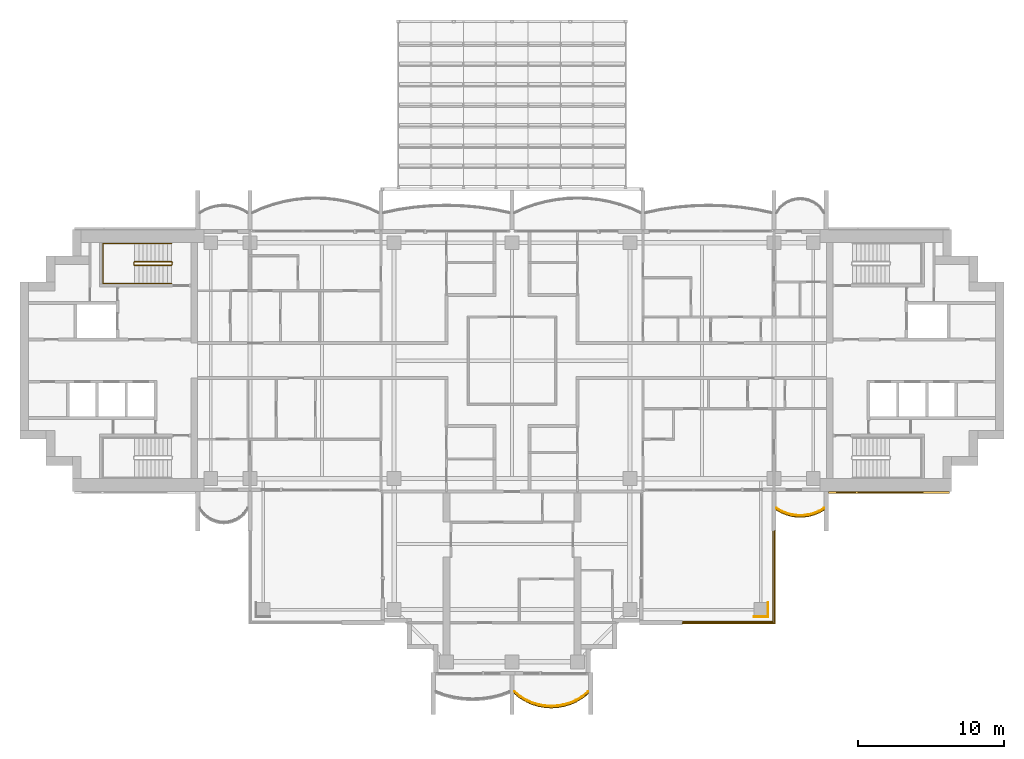
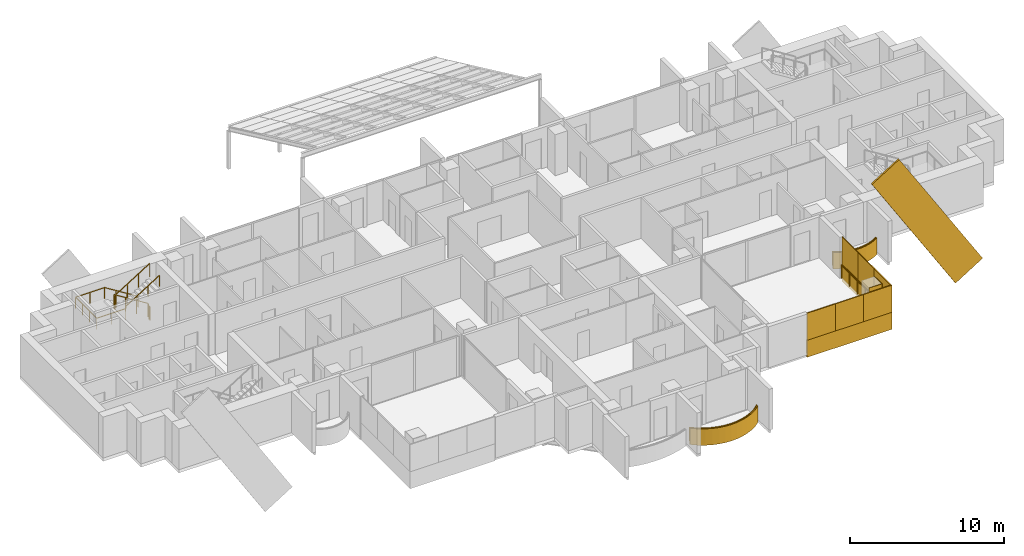
# One storey, part 18 of 20: 12 coverings, 5 railings.
"""IFC4 building model written with IfcOpenShell, lengths in metres."""

from ifc_helpers import new_model, si_unit, direction, frame, origin, origin_2d, place, context, subcontext, project, spatial, polyline, rectangle, outline, extrude, material, layer, layer_set, material_profile, profile_set, type_object, element, save


model = new_model("IFC4")

# Units and contexts
model_context = context("Model", 3, precision=1e-05, world=origin(), true_north=direction((0.0, 1.0)))
body_context = subcontext(model_context, "Body", "Model", "MODEL_VIEW")
ifc_project = project(units=[si_unit("LENGTHUNIT", "METRE"), si_unit("AREAUNIT", "SQUARE_METRE"), si_unit("VOLUMEUNIT", "CUBIC_METRE"), si_unit("PLANEANGLEUNIT", "RADIAN"), si_unit("MASSUNIT", "GRAM", prefix="KILO")], contexts=[model_context])

# Site, building, storey
site_placement = place(None, origin())
site = spatial("IfcSite", under=ifc_project, at=site_placement, CompositionType="ELEMENT")
building_placement = place(site_placement, origin())
building = spatial("IfcBuilding", under=site, at=building_placement, Name="Perihelion Cross Residences", CompositionType="ELEMENT")
storey_placement = place(building_placement, frame((0.0, 0.0, 170.10009765625)))
storey = spatial("IfcBuildingStorey", under=building, at=storey_placement, Name="L41", CompositionType="ELEMENT", Elevation=170.10009765625)

# Coverings
ifc_material_1 = material(Name="Bronze anodised aluminium", Category="aluminium")
ifc_layer_1 = layer(ifc_material_1, 0.070068359375)
ifc_layer_set_1 = layer_set([ifc_layer_1], Name="Balcony fascia 1300")
covering_type_1 = type_object("IfcCoveringType", Name="Balcony fascia 1300", PredefinedType="CLADDING", material=ifc_layer_set_1)
covering_1_placement = place(storey_placement, frame((0.0, 0.0, -0.2001953125)))
element("IfcCovering", 1, at=covering_1_placement, inside=storey, type_object=covering_type_1, Name="Fascia BF1 L41 south tip south bay 2", PredefinedType="CLADDING", context=body_context, shape_type="SweptSolid", body=[
    extrude(outline(polyline([(0.53515625, -23.197509765625), (0.96826171875, -23.455078125), (1.401123046875, -23.642578125), (1.833984375, -23.7705078125), (2.26708984375, -23.845458984375), (2.699951171875, -23.8701171875), (3.133056640625, -23.845458984375), (3.56591796875, -23.7705078125), (3.998779296875, -23.642578125), (4.431884765625, -23.455078125), (4.86474609375, -23.197509765625), (5.25, -22.8896484375), (5.25, -22.800048828125), (4.824951171875, -23.14013671875), (4.39990234375, -23.392578125), (3.97509765625, -23.57666015625), (3.550048828125, -23.702392578125), (3.125, -23.77587890625), (2.699951171875, -23.800048828125), (2.27490234375, -23.77587890625), (1.85009765625, -23.702392578125), (1.425048828125, -23.57666015625), (1.0, -23.392578125), (0.574951171875, -23.14013671875), (0.14990234375, -22.800048828125), (0.14990234375, -22.8896484375), (0.53515625, -23.197509765625)])), origin(), (0.0, 0.0, 1.0), 1.300048828125),
])
covering_2_placement = place(storey_placement, frame((0.0, 0.0, -0.2001953125)))
element("IfcCovering", 2, at=covering_2_placement, inside=storey, type_object=covering_type_1, Name="Fascia BF1 L41 east side south bay 2", PredefinedType="CLADDING", context=body_context, shape_type="SweptSolid", body=[
    extrude(outline(polyline([(18.486328125, -10.4716796875), (18.861572265625, -10.62158203125), (19.237060546875, -10.717529296875), (19.6123046875, -10.76416015625), (19.987548828125, -10.76416015625), (20.363037109375, -10.717529296875), (20.73828125, -10.62158203125), (21.11376953125, -10.4716796875), (21.449951171875, -10.280517578125), (21.449951171875, -10.199951171875), (21.083251953125, -10.40869140625), (20.716552734375, -10.55517578125), (20.35009765625, -10.648681640625), (19.9833984375, -10.6943359375), (19.61669921875, -10.6943359375), (19.25, -10.648681640625), (18.88330078125, -10.55517578125), (18.5166015625, -10.40869140625), (18.14990234375, -10.199951171875), (18.14990234375, -10.280517578125), (18.486328125, -10.4716796875)])), origin(), (0.0, 0.0, 1.0), 1.300048828125),
])

# Railings
ifc_material_2 = material(Name="Bronze anodised aluminium", Category="aluminium")
railing_type_1 = type_object("IfcRailingType", Name="Balcony guard 1100", PredefinedType="GUARDRAIL", material=ifc_material_2)
railing_1_placement = place(storey_placement, frame((0.175048828125, -22.739990234375, 0.0)))
element("IfcRailing", 3, at=railing_1_placement, inside=storey, type_object=railing_type_1, Name="Guard GU1 L41 south tip south bay 2 balcony", PredefinedType="GUARDRAIL", context=body_context, shape_type="SweptSolid", body=[
    extrude(rectangle(XDim=0.048095703125, YDim=0.048095703125, at=origin_2d()), frame((0.0, 0.0, 1.076171875), z_axis=(0.761778647315, -0.647837396648, 0.0), x_axis=(0.647837396648, 0.761778647315, 0.0)), (0.0, 0.0, 1.0), 0.52490234375),
    extrude(rectangle(XDim=0.048095703125, YDim=0.048095703125, at=origin_2d()), frame((0.39990234375, -0.340087890625, 1.076171875), z_axis=(0.859576918062, -0.511006381501, 0.0), x_axis=(0.511006381501, 0.859576918062, 0.0)), (0.0, 0.0, 1.0), 0.494384765625),
    extrude(rectangle(XDim=0.048095703125, YDim=0.048095703125, at=origin_2d()), frame((0.824951171875, -0.5927734375, 1.076171875), z_axis=(0.917831080218, -0.396971167952, 0.0), x_axis=(0.396971167952, 0.917831080218, 0.0)), (0.0, 0.0, 1.0), 0.463134765625),
    extrude(rectangle(XDim=0.048095703125, YDim=0.048095703125, at=origin_2d()), frame((1.25, -0.776611328125, 1.076171875), z_axis=(0.958925815697, -0.283656975924, 0.0), x_axis=(0.283656975924, 0.958925815697, 0.0)), (0.0, 0.0, 1.0), 0.443359375),
    extrude(rectangle(XDim=0.048095703125, YDim=0.048095703125, at=origin_2d()), frame((1.675048828125, -0.90234375, 1.076171875), z_axis=(0.985365142702, -0.170456843651, 0.0), x_axis=(0.170456843651, 0.985365142702, 0.0)), (0.0, 0.0, 1.0), 0.43115234375),
    extrude(rectangle(XDim=0.048095703125, YDim=0.048095703125, at=origin_2d()), frame((2.099853515625, -0.975830078125, 1.076171875), z_axis=(0.998387160354, -0.056772159032, 0.0), x_axis=(0.056772159032, 0.998387160354, 0.0)), (0.0, 0.0, 1.0), 0.42578125),
    extrude(rectangle(XDim=0.048095703125, YDim=0.048095703125, at=origin_2d()), frame((2.52490234375, -1.0, 1.076171875), z_axis=(0.998387160354, 0.056772159032, 0.0), x_axis=(-0.056772159032, 0.998387160354, 0.0)), (0.0, 0.0, 1.0), 0.42578125),
    extrude(rectangle(XDim=0.048095703125, YDim=0.048095703125, at=origin_2d()), frame((2.949951171875, -0.975830078125, 1.076171875), z_axis=(0.985381583142, 0.17036177859, 0.0), x_axis=(-0.17036177859, 0.985381583142, 0.0)), (0.0, 0.0, 1.0), 0.431396484375),
    extrude(rectangle(XDim=0.048095703125, YDim=0.048095703125, at=origin_2d()), frame((3.375, -0.90234375, 1.076171875), z_axis=(0.958925815697, 0.283656975924, 0.0), x_axis=(-0.283656975924, 0.958925815697, 0.0)), (0.0, 0.0, 1.0), 0.443359375),
    extrude(rectangle(XDim=0.048095703125, YDim=0.048095703125, at=origin_2d()), frame((3.800048828125, -0.776611328125, 1.076171875), z_axis=(0.917747942671, 0.397163333811, 0.0), x_axis=(-0.397163333811, 0.917747942671, 0.0)), (0.0, 0.0, 1.0), 0.462890625),
    extrude(rectangle(XDim=0.048095703125, YDim=0.048095703125, at=origin_2d()), frame((4.224853515625, -0.5927734375, 1.076171875), z_axis=(0.859576918062, 0.511006381501, 0.0), x_axis=(-0.511006381501, 0.859576918062, 0.0)), (0.0, 0.0, 1.0), 0.494384765625),
    extrude(rectangle(XDim=0.048095703125, YDim=0.048095703125, at=origin_2d()), frame((4.64990234375, -0.340087890625, 1.076171875), z_axis=(0.761973728849, 0.647607934281, 0.0), x_axis=(-0.647607934281, 0.761973728849, 0.0)), (0.0, 0.0, 1.0), 0.525146484375),
    extrude(rectangle(XDim=0.0419921875, YDim=0.0419921875, at=origin_2d()), origin(), (0.0, 0.0, 1.0), 1.052001953125),
    extrude(rectangle(XDim=0.0419921875, YDim=0.0419921875, at=origin_2d()), frame((0.39990234375, -0.340087890625, 0.0)), (0.0, 0.0, 1.0), 1.052001953125),
    extrude(rectangle(XDim=0.0419921875, YDim=0.0419921875, at=origin_2d()), frame((0.824951171875, -0.5927734375, 0.0)), (0.0, 0.0, 1.0), 1.052001953125),
    extrude(rectangle(XDim=0.0419921875, YDim=0.0419921875, at=origin_2d()), frame((1.25, -0.776611328125, 0.0)), (0.0, 0.0, 1.0), 1.052001953125),
    extrude(rectangle(XDim=0.0419921875, YDim=0.0419921875, at=origin_2d()), frame((1.675048828125, -0.90234375, 0.0)), (0.0, 0.0, 1.0), 1.052001953125),
    extrude(rectangle(XDim=0.0419921875, YDim=0.0419921875, at=origin_2d()), frame((2.099853515625, -0.975830078125, 0.0)), (0.0, 0.0, 1.0), 1.052001953125),
    extrude(rectangle(XDim=0.0419921875, YDim=0.0419921875, at=origin_2d()), frame((2.52490234375, -1.0, 0.0)), (0.0, 0.0, 1.0), 1.052001953125),
    extrude(rectangle(XDim=0.0419921875, YDim=0.0419921875, at=origin_2d()), frame((2.949951171875, -0.975830078125, 0.0)), (0.0, 0.0, 1.0), 1.052001953125),
    extrude(rectangle(XDim=0.0419921875, YDim=0.0419921875, at=origin_2d()), frame((3.375, -0.90234375, 0.0)), (0.0, 0.0, 1.0), 1.052001953125),
    extrude(rectangle(XDim=0.0419921875, YDim=0.0419921875, at=origin_2d()), frame((3.800048828125, -0.776611328125, 0.0)), (0.0, 0.0, 1.0), 1.052001953125),
    extrude(rectangle(XDim=0.0419921875, YDim=0.0419921875, at=origin_2d()), frame((4.224853515625, -0.5927734375, 0.0)), (0.0, 0.0, 1.0), 1.052001953125),
    extrude(rectangle(XDim=0.0419921875, YDim=0.0419921875, at=origin_2d()), frame((4.64990234375, -0.340087890625, 0.0)), (0.0, 0.0, 1.0), 1.052001953125),
    extrude(rectangle(XDim=0.0419921875, YDim=0.0419921875, at=origin_2d()), frame((5.050048828125, 0.0, 0.0)), (0.0, 0.0, 1.0), 1.052001953125),
])
railing_2_placement = place(storey_placement, frame((18.175048828125, -10.139892578125, 0.0)))
element("IfcRailing", 4, at=railing_2_placement, inside=storey, type_object=railing_type_1, Name="Guard GU1 L41 east side south bay 2 balcony", PredefinedType="GUARDRAIL", context=body_context, shape_type="SweptSolid", body=[
    extrude(rectangle(XDim=0.048095703125, YDim=0.048095703125, at=origin_2d()), frame((0.0, 0.0, 1.076171875), z_axis=(0.853266756821, -0.52147467983, 0.0), x_axis=(0.52147467983, 0.853266756821, 0.0)), (0.0, 0.0, 1.0), 0.400390625),
    extrude(rectangle(XDim=0.048095703125, YDim=0.048095703125, at=origin_2d()), frame((0.341552734375, -0.208740234375, 1.076171875), z_axis=(0.928647151248, -0.37096424151, 0.0), x_axis=(0.37096424151, 0.928647151248, 0.0)), (0.0, 0.0, 1.0), 0.394775390625),
    extrude(rectangle(XDim=0.048095703125, YDim=0.048095703125, at=origin_2d()), frame((0.708251953125, -0.355224609375, 1.076171875), z_axis=(0.968993337782, -0.247086849781, 0.0), x_axis=(0.247086849781, 0.968993337782, 0.0)), (0.0, 0.0, 1.0), 0.37841796875),
    extrude(rectangle(XDim=0.048095703125, YDim=0.048095703125, at=origin_2d()), frame((1.074951171875, -0.44873046875, 1.076171875), z_axis=(0.992338742457, -0.123546834114, 0.0), x_axis=(0.123546834114, 0.992338742457, 0.0)), (0.0, 0.0, 1.0), 0.36962890625),
    extrude(rectangle(XDim=0.048095703125, YDim=0.048095703125, at=origin_2d()), frame((1.441650390625, -0.494384765625, 1.076171875), z_axis=(1.0, 0.0, 0.0), x_axis=(0.0, 1.0, 0.0)), (0.0, 0.0, 1.0), 0.36669921875),
    extrude(rectangle(XDim=0.048095703125, YDim=0.048095703125, at=origin_2d()), frame((1.808349609375, -0.494384765625, 1.076171875), z_axis=(0.992338742457, 0.123546834114, 0.0), x_axis=(-0.123546834114, 0.992338742457, 0.0)), (0.0, 0.0, 1.0), 0.36962890625),
    extrude(rectangle(XDim=0.048095703125, YDim=0.048095703125, at=origin_2d()), frame((2.175048828125, -0.44873046875, 1.076171875), z_axis=(0.968953914071, 0.247241405123, 0.0), x_axis=(-0.247241405123, 0.968953914071, 0.0)), (0.0, 0.0, 1.0), 0.378173828125),
    extrude(rectangle(XDim=0.048095703125, YDim=0.048095703125, at=origin_2d()), frame((2.54150390625, -0.355224609375, 1.076171875), z_axis=(0.928647151248, 0.37096424151, 0.0), x_axis=(-0.37096424151, 0.928647151248, 0.0)), (0.0, 0.0, 1.0), 0.394775390625),
    extrude(rectangle(XDim=0.048095703125, YDim=0.048095703125, at=origin_2d()), frame((2.908203125, -0.208740234375, 1.076171875), z_axis=(0.853432484338, 0.521203410078, 0.0), x_axis=(-0.521203410078, 0.853432484338, 0.0)), (0.0, 0.0, 1.0), 0.400390625),
    extrude(rectangle(XDim=0.0419921875, YDim=0.0419921875, at=origin_2d()), origin(), (0.0, 0.0, 1.0), 1.052001953125),
    extrude(rectangle(XDim=0.0419921875, YDim=0.0419921875, at=origin_2d()), frame((0.341552734375, -0.208740234375, 0.0)), (0.0, 0.0, 1.0), 1.052001953125),
    extrude(rectangle(XDim=0.0419921875, YDim=0.0419921875, at=origin_2d()), frame((0.708251953125, -0.355224609375, 0.0)), (0.0, 0.0, 1.0), 1.052001953125),
    extrude(rectangle(XDim=0.0419921875, YDim=0.0419921875, at=origin_2d()), frame((1.074951171875, -0.44873046875, 0.0)), (0.0, 0.0, 1.0), 1.052001953125),
    extrude(rectangle(XDim=0.0419921875, YDim=0.0419921875, at=origin_2d()), frame((1.441650390625, -0.494384765625, 0.0)), (0.0, 0.0, 1.0), 1.052001953125),
    extrude(rectangle(XDim=0.0419921875, YDim=0.0419921875, at=origin_2d()), frame((1.808349609375, -0.494384765625, 0.0)), (0.0, 0.0, 1.0), 1.052001953125),
    extrude(rectangle(XDim=0.0419921875, YDim=0.0419921875, at=origin_2d()), frame((2.175048828125, -0.44873046875, 0.0)), (0.0, 0.0, 1.0), 1.052001953125),
    extrude(rectangle(XDim=0.0419921875, YDim=0.0419921875, at=origin_2d()), frame((2.54150390625, -0.355224609375, 0.0)), (0.0, 0.0, 1.0), 1.052001953125),
    extrude(rectangle(XDim=0.0419921875, YDim=0.0419921875, at=origin_2d()), frame((2.908203125, -0.208740234375, 0.0)), (0.0, 0.0, 1.0), 1.052001953125),
    extrude(rectangle(XDim=0.0419921875, YDim=0.0419921875, at=origin_2d()), frame((3.25, 0.0, 0.0)), (0.0, 0.0, 1.0), 1.052001953125),
])
railing_3_placement = place(storey_placement, frame((17.93994140625, -11.739990234375, 0.0)))
element("IfcRailing", 5, at=railing_3_placement, inside=storey, type_object=railing_type_1, Name="Guard GU1 L41 pocket south-east 1", PredefinedType="GUARDRAIL", context=body_context, shape_type="SweptSolid", body=[
    extrude(rectangle(XDim=0.048095703125, YDim=0.048095703125, at=origin_2d()), frame((0.0, 0.0, 1.076171875), z_axis=(0.0, -1.0, 0.0), x_axis=(1.0, 0.0, 0.0)), (0.0, 0.0, 1.0), 6.199951171875),
    extrude(rectangle(XDim=0.048095703125, YDim=0.048095703125, at=origin_2d()), frame((0.0, -6.199951171875, 1.076171875), z_axis=(-1.0, 0.0, 0.0), x_axis=(0.0, -1.0, 0.0)), (0.0, 0.0, 1.0), 6.199951171875),
    extrude(rectangle(XDim=0.0419921875, YDim=0.0419921875, at=origin_2d()), origin(), (0.0, 0.0, 1.0), 1.052001953125),
    extrude(rectangle(XDim=0.0419921875, YDim=0.0419921875, at=origin_2d()), frame((0.0, -1.033203125, 0.0)), (0.0, 0.0, 1.0), 1.052001953125),
    extrude(rectangle(XDim=0.0419921875, YDim=0.0419921875, at=origin_2d()), frame((0.0, -2.066650390625, 0.0)), (0.0, 0.0, 1.0), 1.052001953125),
    extrude(rectangle(XDim=0.0419921875, YDim=0.0419921875, at=origin_2d()), frame((0.0, -3.10009765625, 0.0)), (0.0, 0.0, 1.0), 1.052001953125),
    extrude(rectangle(XDim=0.0419921875, YDim=0.0419921875, at=origin_2d()), frame((0.0, -4.13330078125, 0.0)), (0.0, 0.0, 1.0), 1.052001953125),
    extrude(rectangle(XDim=0.0419921875, YDim=0.0419921875, at=origin_2d()), frame((0.0, -5.16650390625, 0.0)), (0.0, 0.0, 1.0), 1.052001953125),
    extrude(rectangle(XDim=0.0419921875, YDim=0.0419921875, at=origin_2d()), frame((0.0, -6.199951171875, 0.0)), (0.0, 0.0, 1.0), 1.052001953125),
    extrude(rectangle(XDim=0.0419921875, YDim=0.0419921875, at=origin_2d()), frame((-1.033203125, -6.199951171875, 0.0)), (0.0, 0.0, 1.0), 1.052001953125),
    extrude(rectangle(XDim=0.0419921875, YDim=0.0419921875, at=origin_2d()), frame((-2.066650390625, -6.199951171875, 0.0)), (0.0, 0.0, 1.0), 1.052001953125),
    extrude(rectangle(XDim=0.0419921875, YDim=0.0419921875, at=origin_2d()), frame((-3.10009765625, -6.199951171875, 0.0)), (0.0, 0.0, 1.0), 1.052001953125),
    extrude(rectangle(XDim=0.0419921875, YDim=0.0419921875, at=origin_2d()), frame((-4.13330078125, -6.199951171875, 0.0)), (0.0, 0.0, 1.0), 1.052001953125),
    extrude(rectangle(XDim=0.0419921875, YDim=0.0419921875, at=origin_2d()), frame((-5.16650390625, -6.199951171875, 0.0)), (0.0, 0.0, 1.0), 1.052001953125),
    extrude(rectangle(XDim=0.0419921875, YDim=0.0419921875, at=origin_2d()), frame((-6.199951171875, -6.199951171875, 0.0)), (0.0, 0.0, 1.0), 1.052001953125),
])

# Coverings
ifc_material_3 = material(Name="Bronze anodised aluminium", Category="aluminium")
ifc_material_profile = material_profile(ifc_material_3, rectangle(XDim=0.125, YDim=2.39990234375, at=origin_2d()), Name="Bronze cladding band 2400")
ifc_profile_set = profile_set([ifc_material_profile], Name="Bronze anodised aluminium")
covering_type_2 = type_object("IfcCoveringType", Name="Bronze cladding band 2400", PredefinedType="CLADDING", material=ifc_profile_set)
covering_3_placement = place(storey_placement, frame((29.0322265625, -9.0625, -4.863525390625), z_axis=(-0.529915403603, 0.0, 0.848050508534), x_axis=(0.0, -1.0, 0.0)))
element("IfcCovering", 6, at=covering_3_placement, inside=storey, type_object=covering_type_2, Name="Core cladding band, east core", PredefinedType="CLADDING", context=body_context, shape_type="SweptSolid", body=[
    extrude(rectangle(XDim=0.125, YDim=2.39990234375, at=origin_2d()), origin(), (0.0, 0.0, 1.0), 11.822021484375),
])
ifc_material_4 = material(Name="Bronze anodised aluminium", Category="aluminium")
ifc_layer_2 = layer(ifc_material_4, 0.0400390625)
ifc_layer_set_2 = layer_set([ifc_layer_2], Name="Bronze column casing 40")
covering_type_3 = type_object("IfcCoveringType", Name="Bronze column casing 40", PredefinedType="CLADDING", material=ifc_layer_set_2)
covering_4_placement = place(storey_placement, frame((17.594970703125, -17.10009765625, -0.25), z_axis=(0.0, 0.0, 1.0), x_axis=(1.0, 0.0, 0.0)))
element("IfcCovering", 7, at=covering_4_placement, inside=storey, type_object=covering_type_3, Name="Cladding CC1 L41 casing east-west no. 2", PredefinedType="CLADDING", context=body_context, shape_type="SweptSolid", body=[
    extrude(rectangle(XDim=0.0400390625, YDim=1.030029296875, at=origin_2d()), origin(), (0.0, 0.0, 1.0), 3.5),
])
covering_5_placement = place(storey_placement, frame((17.10009765625, -17.594970703125, -0.25), z_axis=(0.0, 0.0, 1.0), x_axis=(1.0, 0.0, 0.0)))
element("IfcCovering", 8, at=covering_5_placement, inside=storey, type_object=covering_type_3, Name="Cladding CC1 L41 casing north-south no. 2", PredefinedType="CLADDING", context=body_context, shape_type="SweptSolid", body=[
    extrude(rectangle(XDim=0.949951171875, YDim=0.0400390625, at=origin_2d()), origin(), (0.0, 0.0, 1.0), 3.5),
])
ifc_material_5 = material(Name="Bronze anodised aluminium", Category="aluminium")
ifc_layer_3 = layer(ifc_material_5, 0.070068359375)
ifc_layer_set_3 = layer_set([ifc_layer_3], Name="Pocket fascia 1350")
covering_type_4 = type_object("IfcCoveringType", Name="Pocket fascia 1350", PredefinedType="CLADDING", material=ifc_layer_set_3)
covering_6_placement = place(storey_placement, frame((0.0, 0.0, -0.25)))
element("IfcCovering", 9, at=covering_6_placement, inside=storey, type_object=covering_type_4, Name="Fascia BF2 L41 pocket south-east 3", PredefinedType="CLADDING", context=body_context, shape_type="SweptSolid", body=[
    extrude(outline(polyline([(18.070068359375, -18.070068359375), (18.070068359375, -11.699951171875), (18.0, -11.699951171875), (18.0, -18.0), (11.699951171875, -18.0), (11.699951171875, -18.070068359375), (18.070068359375, -18.070068359375)])), origin(), (0.0, 0.0, 1.0), 1.349853515625),
])
ifc_material_6 = material(Name="Bronze perforated aluminium", Category="aluminium")
ifc_layer_4 = layer(ifc_material_6, 0.070068359375)
ifc_layer_set_4 = layer_set([ifc_layer_4], Name="Pocket solar screen, bronze perforated")
covering_type_5 = type_object("IfcCoveringType", Name="Pocket solar screen, bronze perforated", PredefinedType="CLADDING", material=ifc_layer_set_4)
covering_7_placement = place(storey_placement, frame((0.0, 0.0, 1.099853515625)))
element("IfcCovering", 10, at=covering_7_placement, inside=storey, type_object=covering_type_5, Name="Solar screen PS1 L41 pocket south-east no. 1", PredefinedType="CLADDING", context=body_context, shape_type="SweptSolid", body=[
    extrude(outline(polyline([(18.070068359375, -18.0), (18.070068359375, -15.89990234375), (18.0, -15.89990234375), (18.0, -18.0), (18.070068359375, -18.0)])), origin(), (0.0, 0.0, 1.0), 2.150146484375),
])
covering_8_placement = place(storey_placement, frame((0.0, 0.0, 1.099853515625)))
element("IfcCovering", 11, at=covering_8_placement, inside=storey, type_object=covering_type_5, Name="Solar screen PS1 L41 pocket south-east no. 2", PredefinedType="CLADDING", context=body_context, shape_type="SweptSolid", body=[
    extrude(outline(polyline([(18.070068359375, -15.89990234375), (18.070068359375, -13.800048828125), (18.0, -13.800048828125), (18.0, -15.89990234375), (18.070068359375, -15.89990234375)])), origin(), (0.0, 0.0, 1.0), 2.150146484375),
])
covering_9_placement = place(storey_placement, frame((0.0, 0.0, 1.099853515625)))
element("IfcCovering", 12, at=covering_9_placement, inside=storey, type_object=covering_type_5, Name="Solar screen PS1 L41 pocket south-east no. 3", PredefinedType="CLADDING", context=body_context, shape_type="SweptSolid", body=[
    extrude(outline(polyline([(18.070068359375, -13.800048828125), (18.070068359375, -11.699951171875), (18.0, -11.699951171875), (18.0, -13.800048828125), (18.070068359375, -13.800048828125)])), origin(), (0.0, 0.0, 1.0), 2.150146484375),
])
covering_10_placement = place(storey_placement, frame((0.0, 0.0, 1.099853515625)))
element("IfcCovering", 13, at=covering_10_placement, inside=storey, type_object=covering_type_5, Name="Solar screen PS1 L41 pocket south-east no. 4", PredefinedType="CLADDING", context=body_context, shape_type="SweptSolid", body=[
    extrude(outline(polyline([(13.8232421875, -18.070068359375), (13.8232421875, -18.0), (11.699951171875, -18.0), (11.699951171875, -18.070068359375), (13.8232421875, -18.070068359375)])), origin(), (0.0, 0.0, 1.0), 2.150146484375),
])
covering_11_placement = place(storey_placement, frame((0.0, 0.0, 1.099853515625)))
element("IfcCovering", 14, at=covering_11_placement, inside=storey, type_object=covering_type_5, Name="Solar screen PS1 L41 pocket south-east no. 5", PredefinedType="CLADDING", context=body_context, shape_type="SweptSolid", body=[
    extrude(outline(polyline([(15.94677734375, -18.070068359375), (15.94677734375, -18.0), (13.8232421875, -18.0), (13.8232421875, -18.070068359375), (15.94677734375, -18.070068359375)])), origin(), (0.0, 0.0, 1.0), 2.150146484375),
])
covering_12_placement = place(storey_placement, frame((0.0, 0.0, 1.099853515625)))
element("IfcCovering", 15, at=covering_12_placement, inside=storey, type_object=covering_type_5, Name="Solar screen PS1 L41 pocket south-east no. 6", PredefinedType="CLADDING", context=body_context, shape_type="SweptSolid", body=[
    extrude(outline(polyline([(18.070068359375, -18.070068359375), (18.070068359375, -18.0), (15.94677734375, -18.0), (15.94677734375, -18.070068359375), (18.070068359375, -18.070068359375)])), origin(), (0.0, 0.0, 1.0), 2.150146484375),
])

# Railings
ifc_material_7 = material(Name="Stainless steel", Category="steel")
railing_type_2 = type_object("IfcRailingType", Name="Stair guard 1100", PredefinedType="GUARDRAIL", material=ifc_material_7)
railing_4_placement = place(storey_placement, frame((-23.35009765625, 6.60009765625, 0.0)))
element("IfcRailing", 16, at=railing_4_placement, inside=storey, type_object=railing_type_2, Name="L41 ST-W1 stair guard 1", PredefinedType="GUARDRAIL", context=body_context, shape_type="SweptSolid", body=[
    extrude(rectangle(XDim=0.048095703125, YDim=0.048095703125, at=origin_2d()), frame((0.0, 0.0, 1.076171875), z_axis=(0.0, 1.0, 0.0), x_axis=(-1.0, 0.0, 0.0)), (0.0, 0.0, 1.0), 0.14990234375),
    extrude(rectangle(XDim=0.048095703125, YDim=0.048095703125, at=origin_2d()), frame((0.0, 0.14990234375, 1.076171875), z_axis=(-0.264179342666, 0.265474339444, 0.927217692888), x_axis=(-0.708833529934, -0.705375805398, 0.0)), (0.0, 0.0, 1.0), 0.1884765625),
    extrude(rectangle(XDim=0.048095703125, YDim=0.048095703125, at=origin_2d()), frame((-0.0498046875, 0.199951171875, 1.2509765625), z_axis=(-0.847970611238, 0.0, 0.530043245855), x_axis=(0.0, -1.0, 0.0)), (0.0, 0.0, 1.0), 2.971923828125),
    extrude(rectangle(XDim=0.048095703125, YDim=0.048095703125, at=origin_2d()), frame((-2.56982421875, 0.199951171875, 2.826171875), z_axis=(-0.707106781187, -0.707106781187, 0.0), x_axis=(0.707106781187, -0.707106781187, 0.0)), (0.0, 0.0, 1.0), 0.07080078125),
    extrude(rectangle(XDim=0.048095703125, YDim=0.048095703125, at=origin_2d()), frame((-2.619873046875, 0.14990234375, 2.826171875), z_axis=(0.0, -1.0, 0.0), x_axis=(1.0, 0.0, 0.0)), (0.0, 0.0, 1.0), 0.14990234375),
    extrude(rectangle(XDim=0.048095703125, YDim=0.048095703125, at=origin_2d()), frame((-2.619873046875, 0.0, 2.826171875), z_axis=(0.265383341853, -0.265383341853, 0.926899867156), x_axis=(0.707106781187, 0.707106781187, 0.0)), (0.0, 0.0, 1.0), 0.1884765625),
    extrude(rectangle(XDim=0.048095703125, YDim=0.048095703125, at=origin_2d()), frame((-2.56982421875, -0.050048828125, 3.0009765625), z_axis=(0.847970611238, 0.0, 0.530043245855), x_axis=(0.0, 1.0, 0.0)), (0.0, 0.0, 1.0), 2.971923828125),
    extrude(rectangle(XDim=0.0419921875, YDim=0.0419921875, at=origin_2d()), origin(), (0.0, 0.0, 1.0), 1.052001953125),
    extrude(rectangle(XDim=0.0419921875, YDim=0.0419921875, at=origin_2d()), frame((0.0, 0.14990234375, 0.0)), (0.0, 0.0, 1.0), 1.052001953125),
    extrude(rectangle(XDim=0.0419921875, YDim=0.0419921875, at=origin_2d()), frame((-0.0498046875, 0.199951171875, 0.1748046875)), (0.0, 0.0, 1.0), 1.052001953125),
    extrude(rectangle(XDim=0.0419921875, YDim=0.0419921875, at=origin_2d()), frame((-0.889892578125, 0.199951171875, 0.699951171875)), (0.0, 0.0, 1.0), 1.052001953125),
    extrude(rectangle(XDim=0.0419921875, YDim=0.0419921875, at=origin_2d()), frame((-1.729736328125, 0.199951171875, 1.224853515625)), (0.0, 0.0, 1.0), 1.052001953125),
    extrude(rectangle(XDim=0.0419921875, YDim=0.0419921875, at=origin_2d()), frame((-2.56982421875, 0.199951171875, 1.75)), (0.0, 0.0, 1.0), 1.052001953125),
    extrude(rectangle(XDim=0.0419921875, YDim=0.0419921875, at=origin_2d()), frame((-2.619873046875, 0.14990234375, 1.75)), (0.0, 0.0, 1.0), 1.052001953125),
    extrude(rectangle(XDim=0.0419921875, YDim=0.0419921875, at=origin_2d()), frame((-2.619873046875, 0.0, 1.75)), (0.0, 0.0, 1.0), 1.052001953125),
    extrude(rectangle(XDim=0.0419921875, YDim=0.0419921875, at=origin_2d()), frame((-2.56982421875, -0.050048828125, 1.9248046875)), (0.0, 0.0, 1.0), 1.052001953125),
    extrude(rectangle(XDim=0.0419921875, YDim=0.0419921875, at=origin_2d()), frame((-1.729736328125, -0.050048828125, 2.449951171875)), (0.0, 0.0, 1.0), 1.052001953125),
    extrude(rectangle(XDim=0.0419921875, YDim=0.0419921875, at=origin_2d()), frame((-0.889892578125, -0.050048828125, 2.974853515625)), (0.0, 0.0, 1.0), 1.052001953125),
    extrude(rectangle(XDim=0.0419921875, YDim=0.0419921875, at=origin_2d()), frame((-0.0498046875, -0.050048828125, 3.5)), (0.0, 0.0, 1.0), 1.052001953125),
])
ifc_material_8 = material(Name="Stainless steel", Category="steel")
railing_type_3 = type_object("IfcRailingType", Name="Stair handrail 900", PredefinedType="HANDRAIL", material=ifc_material_8)
railing_5_placement = place(storey_placement, frame((-23.39990234375, 8.050048828125, 0.1748046875)))
element("IfcRailing", 17, at=railing_5_placement, inside=storey, type_object=railing_type_3, Name="L41 ST-W1 stair handrail 1", PredefinedType="HANDRAIL", context=body_context, shape_type="SweptSolid", body=[
    extrude(rectangle(XDim=0.048095703125, YDim=0.048095703125, at=origin_2d()), frame((0.0, 0.0, 0.8759765625), z_axis=(-0.847970611238, 0.0, 0.530043245855), x_axis=(0.0, -1.0, 0.0)), (0.0, 0.0, 1.0), 2.971923828125),
    extrude(rectangle(XDim=0.048095703125, YDim=0.048095703125, at=origin_2d()), frame((-2.52001953125, 0.0, 2.451171875), z_axis=(-1.0, 0.0, 0.0), x_axis=(0.0, -1.0, 0.0)), (0.0, 0.0, 1.0), 2.18017578125),
    extrude(rectangle(XDim=0.048095703125, YDim=0.048095703125, at=origin_2d()), frame((-4.7001953125, 0.0, 2.451171875), z_axis=(0.0, -1.0, 0.0), x_axis=(1.0, 0.0, 0.0)), (0.0, 0.0, 1.0), 2.75),
    extrude(rectangle(XDim=0.048095703125, YDim=0.048095703125, at=origin_2d()), frame((-4.7001953125, -2.75, 2.451171875), z_axis=(1.0, 0.0, 0.0), x_axis=(0.0, 1.0, 0.0)), (0.0, 0.0, 1.0), 2.18017578125),
    extrude(rectangle(XDim=0.048095703125, YDim=0.048095703125, at=origin_2d()), frame((-2.52001953125, -2.75, 2.451171875), z_axis=(0.0, 0.0, 1.0), x_axis=(1.0, 0.0, 0.0)), (0.0, 0.0, 1.0), 0.1748046875),
    extrude(rectangle(XDim=0.048095703125, YDim=0.048095703125, at=origin_2d()), frame((-2.52001953125, -2.75, 2.6259765625), z_axis=(0.847970611238, 0.0, 0.530043245855), x_axis=(0.0, 1.0, 0.0)), (0.0, 0.0, 1.0), 2.971923828125),
    extrude(rectangle(XDim=0.0419921875, YDim=0.0419921875, at=origin_2d()), origin(), (0.0, 0.0, 1.0), 0.851806640625),
    extrude(rectangle(XDim=0.0419921875, YDim=0.0419921875, at=origin_2d()), frame((-0.840087890625, 0.0, 0.525146484375)), (0.0, 0.0, 1.0), 0.851806640625),
    extrude(rectangle(XDim=0.0419921875, YDim=0.0419921875, at=origin_2d()), frame((-1.679931640625, 0.0, 1.050048828125)), (0.0, 0.0, 1.0), 0.851806640625),
    extrude(rectangle(XDim=0.0419921875, YDim=0.0419921875, at=origin_2d()), frame((-2.52001953125, 0.0, 1.5751953125)), (0.0, 0.0, 1.0), 0.851806640625),
    extrude(rectangle(XDim=0.0419921875, YDim=0.0419921875, at=origin_2d()), frame((-3.610107421875, 0.0, 1.5751953125)), (0.0, 0.0, 1.0), 0.851806640625),
    extrude(rectangle(XDim=0.0419921875, YDim=0.0419921875, at=origin_2d()), frame((-4.7001953125, 0.0, 1.5751953125)), (0.0, 0.0, 1.0), 0.851806640625),
    extrude(rectangle(XDim=0.0419921875, YDim=0.0419921875, at=origin_2d()), frame((-4.7001953125, -0.916748046875, 1.5751953125)), (0.0, 0.0, 1.0), 0.851806640625),
    extrude(rectangle(XDim=0.0419921875, YDim=0.0419921875, at=origin_2d()), frame((-4.7001953125, -1.833251953125, 1.5751953125)), (0.0, 0.0, 1.0), 0.851806640625),
    extrude(rectangle(XDim=0.0419921875, YDim=0.0419921875, at=origin_2d()), frame((-4.7001953125, -2.75, 1.5751953125)), (0.0, 0.0, 1.0), 0.851806640625),
    extrude(rectangle(XDim=0.0419921875, YDim=0.0419921875, at=origin_2d()), frame((-3.610107421875, -2.75, 1.5751953125)), (0.0, 0.0, 1.0), 0.851806640625),
    extrude(rectangle(XDim=0.0419921875, YDim=0.0419921875, at=origin_2d()), frame((-2.52001953125, -2.75, 1.5751953125)), (0.0, 0.0, 1.0), 0.851806640625),
    extrude(rectangle(XDim=0.0419921875, YDim=0.0419921875, at=origin_2d()), frame((-2.52001953125, -2.75, 1.75)), (0.0, 0.0, 1.0), 0.851806640625),
    extrude(rectangle(XDim=0.0419921875, YDim=0.0419921875, at=origin_2d()), frame((-1.679931640625, -2.75, 2.275146484375)), (0.0, 0.0, 1.0), 0.851806640625),
    extrude(rectangle(XDim=0.0419921875, YDim=0.0419921875, at=origin_2d()), frame((-0.840087890625, -2.75, 2.800048828125)), (0.0, 0.0, 1.0), 0.851806640625),
    extrude(rectangle(XDim=0.0419921875, YDim=0.0419921875, at=origin_2d()), frame((0.0, -2.75, 3.3251953125)), (0.0, 0.0, 1.0), 0.851806640625),
])

save(model, "model.ifc")
